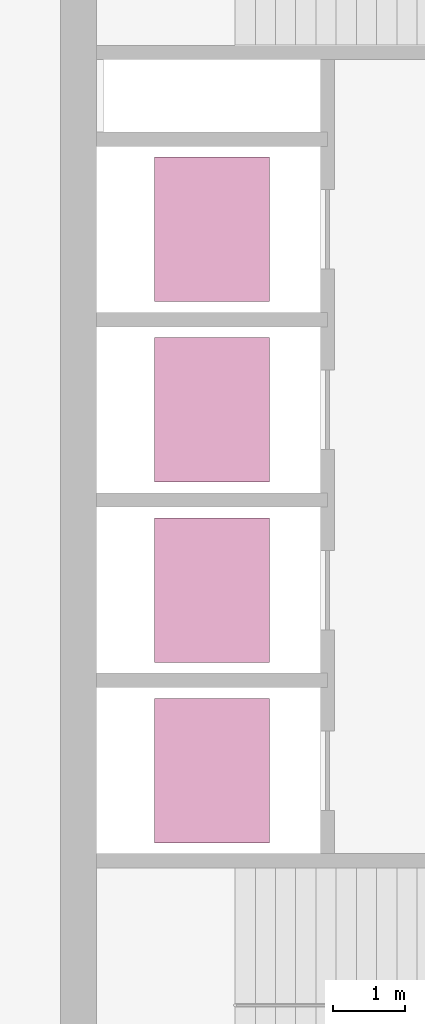
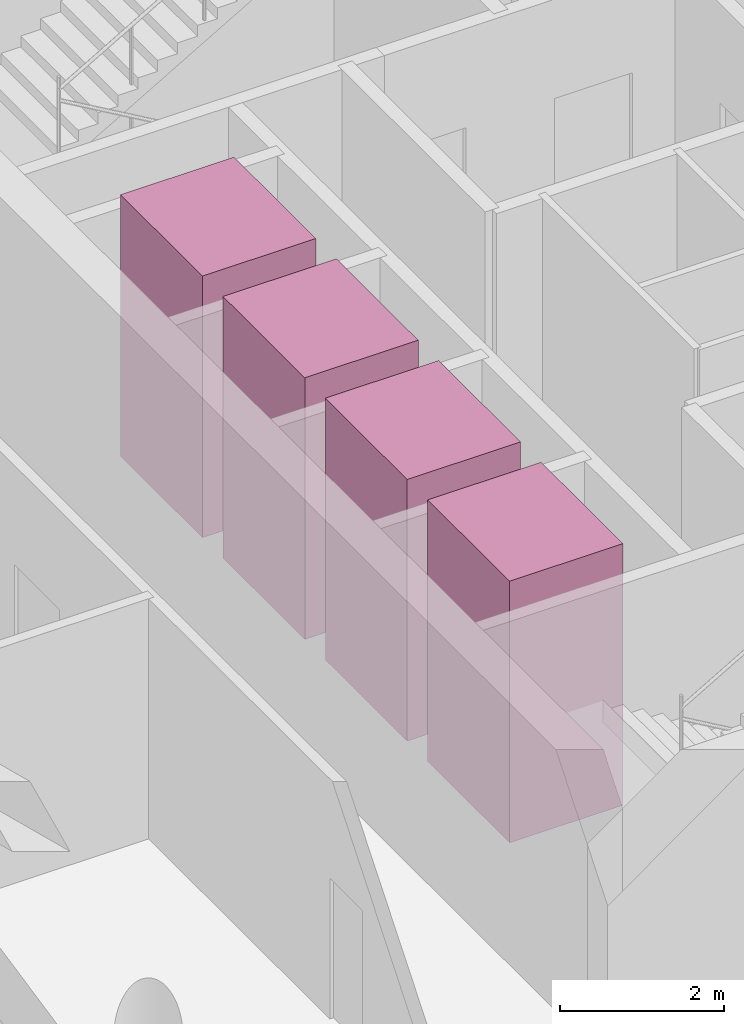
# One storey, part 8 of 8: 4 transport elements.
"""IFC4 building model written with IfcOpenShell, lengths in metres."""

from ifc_helpers import new_model, si_unit, direction, frame, origin, origin_2d, place, context, subcontext, project, spatial, rectangle, extrude, material, type_object, element, save


model = new_model("IFC4")

# Units and contexts
model_context = context("Model", 3, precision=1e-05, world=origin(), true_north=direction((0.0, 1.0)))
body_context = subcontext(model_context, "Body", "Model", "MODEL_VIEW")
ifc_project = project(units=[si_unit("LENGTHUNIT", "METRE"), si_unit("AREAUNIT", "SQUARE_METRE"), si_unit("VOLUMEUNIT", "CUBIC_METRE"), si_unit("PLANEANGLEUNIT", "RADIAN"), si_unit("MASSUNIT", "GRAM", prefix="KILO")], contexts=[model_context])

# Site, building, storey
site_placement = place(None, origin())
site = spatial("IfcSite", under=ifc_project, at=site_placement, CompositionType="ELEMENT")
building_placement = place(site_placement, origin())
building = spatial("IfcBuilding", under=site, at=building_placement, Name="Qaws Garden Tower", CompositionType="ELEMENT")
storey_placement = place(building_placement, frame((0.0, 0.0, 294.300048828125)))
storey = spatial("IfcBuildingStorey", under=building, at=storey_placement, Name="L71", CompositionType="ELEMENT", Elevation=294.300048828125)

# Transport elements
ifc_material = material(Name="Stainless steel 316", Category="steel")
transport_element_type = type_object("IfcTransportElementType", Name="Passenger lift car 2000x1600 1800 kg", PredefinedType="ELEVATOR", material=ifc_material)
for number, where, z_axis, x_axis, name in (
    (1, (10.10009765625, 13.64990234375, 0.0), (0.0, 0.0, 1.0), (1.0, 0.0, 0.0), "HR1"),
    (2, (10.10009765625, 16.14990234375, 0.0), (0.0, 0.0, 1.0), (1.0, 0.0, 0.0), "HR2"),
    (3, (10.10009765625, 18.64990234375, 0.0), (0.0, 0.0, 1.0), (1.0, 0.0, 0.0), "HR3"),
    (4, (10.10009765625, 21.14990234375, 0.0), (0.0, 0.0, 1.0), (1.0, 0.0, 0.0), "HR4"),
):
    element("IfcTransportElement", number, at=place(storey_placement, frame(where, z_axis=z_axis, x_axis=x_axis)), inside=storey, type_object=transport_element_type, Name=name, PredefinedType="ELEVATOR", context=body_context, shape_type="SweptSolid", body=[
        extrude(rectangle(XDim=1.60009765625, YDim=2.0, at=origin_2d()), origin(), (0.0, 0.0, 1.0), 3.89990234375),
    ])

save(model, "model.ifc")
